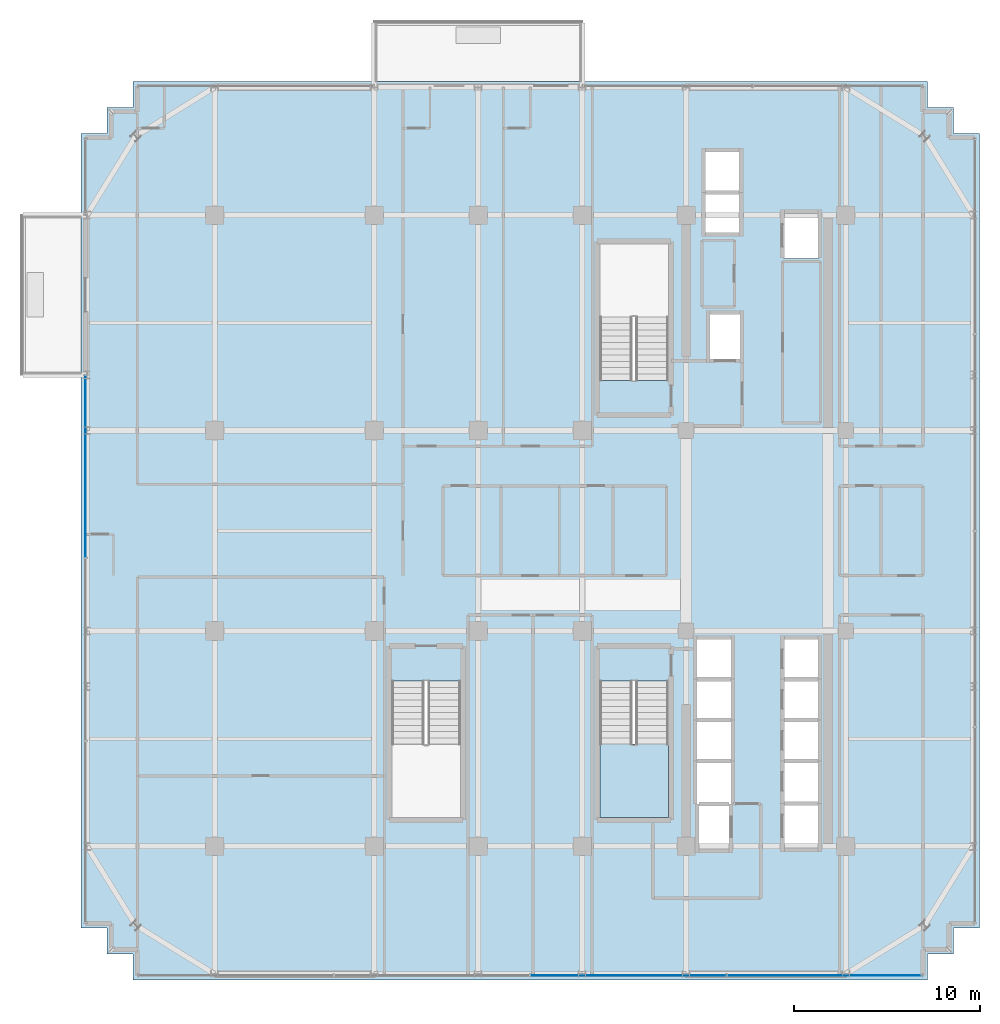
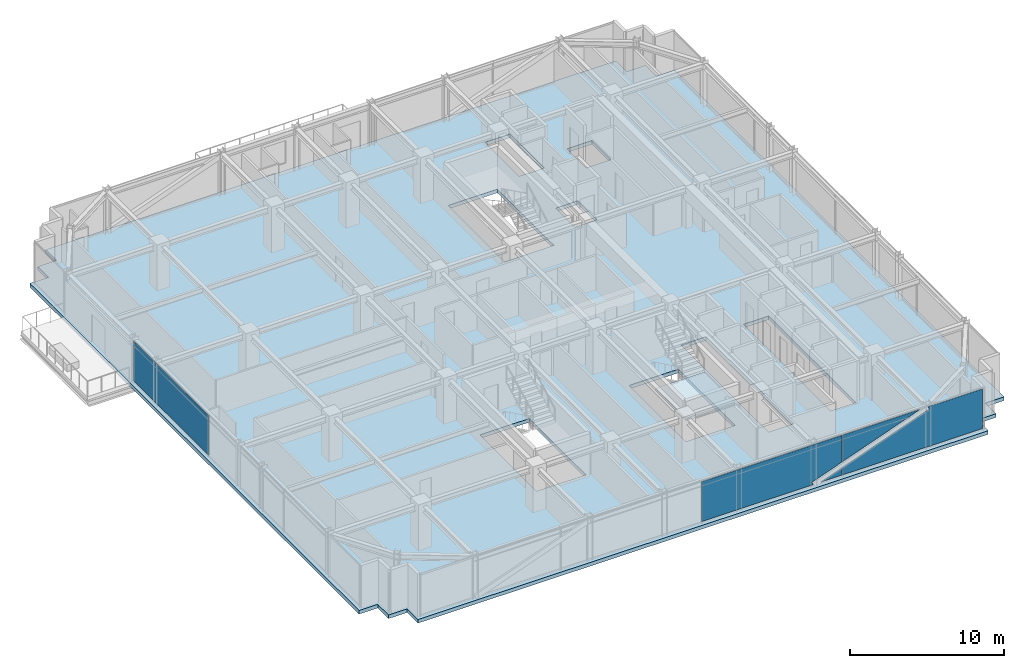
# One storey, part 29 of 41: 3 plates, 2 slabs, 3 elements without a shape of their own.
"""IFC4 building model written with IfcOpenShell, lengths in metres."""

from ifc_helpers import new_model, si_unit, direction, frame, origin, origin_2d, place, context, subcontext, project, spatial, polyline, rectangle, outline, extrude, source, transform, mapped, material, layer, layer_set, type_object, element, aggregate, save


model = new_model("IFC4")

# Units and contexts
model_context = context("Model", 3, precision=1e-05, world=origin(), true_north=direction((0.0, 1.0)))
body_context = subcontext(model_context, "Body", "Model", "MODEL_VIEW")
ifc_project = project(units=[si_unit("LENGTHUNIT", "METRE"), si_unit("AREAUNIT", "SQUARE_METRE"), si_unit("VOLUMEUNIT", "CUBIC_METRE"), si_unit("PLANEANGLEUNIT", "RADIAN"), si_unit("MASSUNIT", "GRAM", prefix="KILO")], contexts=[model_context])

# Site, building, storey
site_placement = place(None, origin())
site = spatial("IfcSite", under=ifc_project, at=site_placement, CompositionType="ELEMENT")
building_placement = place(site_placement, origin())
building = spatial("IfcBuilding", under=site, at=building_placement, Name="Nahalor Promenade Grand Hotel", CompositionType="ELEMENT")
storey_placement = place(building_placement, frame((0.0, 0.0, 227.10009765625)))
storey = spatial("IfcBuildingStorey", under=building, at=storey_placement, Name="L58", CompositionType="ELEMENT", Elevation=227.10009765625)

# Curtain wall, plates
ifc_material_1 = material(Name="Anodised Bronze Aluminium EN AW-6063 T6", Category="aluminium")
curtain_wall_type = type_object("IfcCurtainWallType", Name="CW2 Typical Hotel Flush Bronze Unitised Curtain Wall", PredefinedType="USERDEFINED", material=ifc_material_1)
curtain_wall_1_placement = place(storey_placement, origin())
curtain_wall_1 = element("IfcCurtainWall", 1, at=curtain_wall_1_placement, inside=storey, type_object=curtain_wall_type, Name="L58 Curtain Wall CW-L58-S-1", ObjectType="UNITISED_CURTAIN_WALL", PredefinedType="USERDEFINED")
ifc_material_2 = material(Name="Low-E Laminated Solar Glass", Category="glass")
ifc_layer_1 = layer(ifc_material_2, 0.028076171875)
ifc_layer_set_1 = layer_set([ifc_layer_1], Name="Low-E Laminated Solar Glass")
plate_type = type_object("IfcPlateType", Name="CWP2 Bronze Low-E Vision IGU 28mm", PredefinedType="CURTAIN_PANEL", material=ifc_layer_set_1)
plate_1_placement = place(storey_placement, frame((5.2900390625, -23.9599609375, 0.1298828125), z_axis=(0.0, 0.0, 1.0), x_axis=(1.0, 0.0, 0.0)))
plate_1 = element("IfcPlate", 2, at=plate_1_placement, type_object=plate_type, Name="CW-L58-S-1 Glazing Panel 2-0", PredefinedType="CURTAIN_PANEL", context=body_context, shape_type="SweptSolid", body=[
    extrude(outline(polyline([(-5.257568359375, 3.14990234375), (-5.257568359375, 0.0), (3.090576171875, 0.0), (3.010009765625, 0.22314453125), (5.257568359375, 1.035888671875), (5.257568359375, 3.14990234375), (-5.257568359375, 3.14990234375)])), frame((0.0, 0.01416015625, 0.0), z_axis=(0.0, -1.0, 0.0), x_axis=(1.0, 0.0, 0.0)), (0.0, 0.0, 1.0), 0.028076171875),
    extrude(outline(polyline([(3.71630859375, 0.0), (5.257568359375, 0.0), (5.257568359375, 0.557373046875), (3.71630859375, 0.0)])), frame((0.0, 0.01416015625, 0.0), z_axis=(0.0, -1.0, 0.0), x_axis=(1.0, 0.0, 0.0)), (0.0, 0.0, 1.0), 0.028076171875),
])
plate_2_placement = place(storey_placement, frame((15.853759765625, -23.9599609375, 0.1298828125), z_axis=(0.0, 0.0, 1.0), x_axis=(1.0, 0.0, 0.0)))
plate_2 = element("IfcPlate", 3, at=plate_2_placement, type_object=plate_type, Name="CW-L58-S-1 Glazing Panel 3-0", PredefinedType="CURTAIN_PANEL", context=body_context, shape_type="SweptSolid", body=[
    extrude(outline(polyline([(5.2412109375, 0.0), (5.2412109375, 3.14990234375), (1.16552734375, 3.14990234375), (1.246337890625, 2.927001953125), (-5.2412109375, 0.580810546875), (-5.2412109375, 0.0), (5.2412109375, 0.0)])), frame((0.0, 0.01416015625, 0.0), z_axis=(0.0, -1.0, 0.0), x_axis=(1.0, 0.0, 0.0)), (0.0, 0.0, 1.0), 0.028076171875),
    extrude(outline(polyline([(0.5400390625, 3.14990234375), (-5.2412109375, 3.14990234375), (-5.2412109375, 1.059326171875), (0.5400390625, 3.14990234375)])), frame((0.0, 0.01416015625, 0.0), z_axis=(0.0, -1.0, 0.0), x_axis=(1.0, 0.0, 0.0)), (0.0, 0.0, 1.0), 0.028076171875),
])
aggregate(curtain_wall_1, [plate_1, plate_2])

# Stair, slab
ifc_material_3 = material(Name="Concrete B-50 (C40/50)", Category="concrete")
stair_type = type_object("IfcStairType", Name="Stair-ST2", PredefinedType="HALF_TURN_STAIR", material=ifc_material_3)
stair_placement = place(storey_placement, origin())
stair = element("IfcStair", 4, at=stair_placement, inside=storey, type_object=stair_type, Name="L58 ST2", PredefinedType="HALF_TURN_STAIR")
ifc_layer_2 = layer(ifc_material_3, 0.2099609375)
ifc_layer_set_2 = layer_set([ifc_layer_2], Name="Concrete B-50 (C40/50)")
slab_type_1 = type_object("IfcSlabType", Name="Landing-ST2", PredefinedType="LANDING", material=ifc_layer_set_2)
slab_1_placement = place(storey_placement, frame((0.0, 0.0, 1.639892578125)))
slab_1 = element("IfcSlab", 5, at=slab_1_placement, type_object=slab_type_1, Name="ST2 landing 1", PredefinedType="LANDING", context=body_context, shape_type="SweptSolid", body=[
    extrude(outline(polyline([(3.75, -11.5), (3.75, -15.449951171875), (7.449951171875, -15.449951171875), (7.449951171875, -11.5), (3.75, -11.5)])), origin(), (0.0, 0.0, 1.0), 0.2099609375),
])
aggregate(stair, [slab_1])

# Slab
ifc_layer_3 = layer(ifc_material_3, 0.2900390625)
ifc_layer_set_3 = layer_set([ifc_layer_3], Name="Concrete B-50 (C40/50)")
slab_type_2 = type_object("IfcSlabType", Name="Slab-TowerZ4-290", PredefinedType="FLOOR", material=ifc_layer_set_3)
slab_2_placement = place(storey_placement, frame((0.0, 0.0, -0.2900390625)))
element("IfcSlab", 6, at=slab_2_placement, inside=storey, type_object=slab_type_2, Name="L58 Suspended Structural Floor Slab", PredefinedType="FLOOR", context=body_context, shape_type="SweptSolid", body=[
    extrude(outline(polyline([(-21.39990234375, -24.199951171875), (21.39990234375, -24.199951171875), (21.39990234375, -22.800048828125), (22.800048828125, -22.800048828125), (22.800048828125, -21.39990234375), (24.199951171875, -21.39990234375), (24.199951171875, 21.39990234375), (22.800048828125, 21.39990234375), (22.800048828125, 22.800048828125), (21.39990234375, 22.800048828125), (21.39990234375, 24.199951171875), (-21.39990234375, 24.199951171875), (-21.39990234375, 22.800048828125), (-22.800048828125, 22.800048828125), (-22.800048828125, 21.39990234375), (-24.199951171875, 21.39990234375), (-24.199951171875, -21.39990234375), (-22.800048828125, -21.39990234375), (-22.800048828125, -22.800048828125), (-21.39990234375, -22.800048828125), (-21.39990234375, -24.199951171875)]), holes=[polyline([(3.75, 8.10009765625), (7.449951171875, 8.10009765625), (7.449951171875, 15.449951171875), (3.75, 15.449951171875), (3.75, 8.10009765625)]), polyline([(3.75, -15.449951171875), (7.449951171875, -15.449951171875), (7.449951171875, -8.10009765625), (3.75, -8.10009765625), (3.75, -15.449951171875)]), polyline([(-7.449951171875, -15.449951171875), (-3.75, -15.449951171875), (-3.75, -8.10009765625), (-7.449951171875, -8.10009765625), (-7.449951171875, -15.449951171875)]), polyline([(13.659912109375, -17.139892578125), (15.5400390625, -17.139892578125), (15.5400390625, -5.81005859375), (13.659912109375, -5.81005859375), (13.659912109375, -17.139892578125)]), polyline([(8.9599609375, -17.18994140625), (10.840087890625, -17.18994140625), (10.840087890625, -5.81005859375), (8.9599609375, -5.81005859375), (8.9599609375, -17.18994140625)]), polyline([(9.409912109375, 16.010009765625), (11.2900390625, 16.010009765625), (11.2900390625, 20.43994140625), (9.409912109375, 20.43994140625), (9.409912109375, 16.010009765625)]), polyline([(9.659912109375, 9.2099609375), (11.340087890625, 9.2099609375), (11.340087890625, 11.68994140625), (9.659912109375, 11.68994140625), (9.659912109375, 9.2099609375)]), polyline([(13.659912109375, 14.659912109375), (15.5400390625, 14.659912109375), (15.5400390625, 17.139892578125), (13.659912109375, 17.139892578125), (13.659912109375, 14.659912109375)])]), origin(), (0.0, 0.0, 1.0), 0.2900390625),
])

# Curtain wall, plate
curtain_wall_2_placement = place(storey_placement, origin())
curtain_wall_2 = element("IfcCurtainWall", 7, at=curtain_wall_2_placement, inside=storey, type_object=curtain_wall_type, Name="L58 Curtain Wall CW-L58-W-1", ObjectType="UNITISED_CURTAIN_WALL", PredefinedType="USERDEFINED")
shared_shape = source(origin(), body_context, "Body", "SweptSolid", [
    extrude(rectangle(XDim=9.755859375, YDim=0.028076171875, at=origin_2d()), origin(), (0.0, 0.0, 1.0), 3.14990234375),
])
plate_3_placement = place(storey_placement, frame((-23.9599609375, 3.45703125, 0.1298828125), z_axis=(0.0, 0.0, 1.0), x_axis=(0.0, 1.0, 0.0)))
plate_3 = element("IfcPlate", 8, at=plate_3_placement, type_object=plate_type, Name="CW-L58-W-1 Glazing Panel 2-0", PredefinedType="CURTAIN_PANEL", context=body_context, shape_type="MappedRepresentation", body=[
    mapped(shared_shape, transform((0.0, 0.0, 0.0), scale=1.0)),
])
aggregate(curtain_wall_2, [plate_3])

save(model, "model.ifc")
